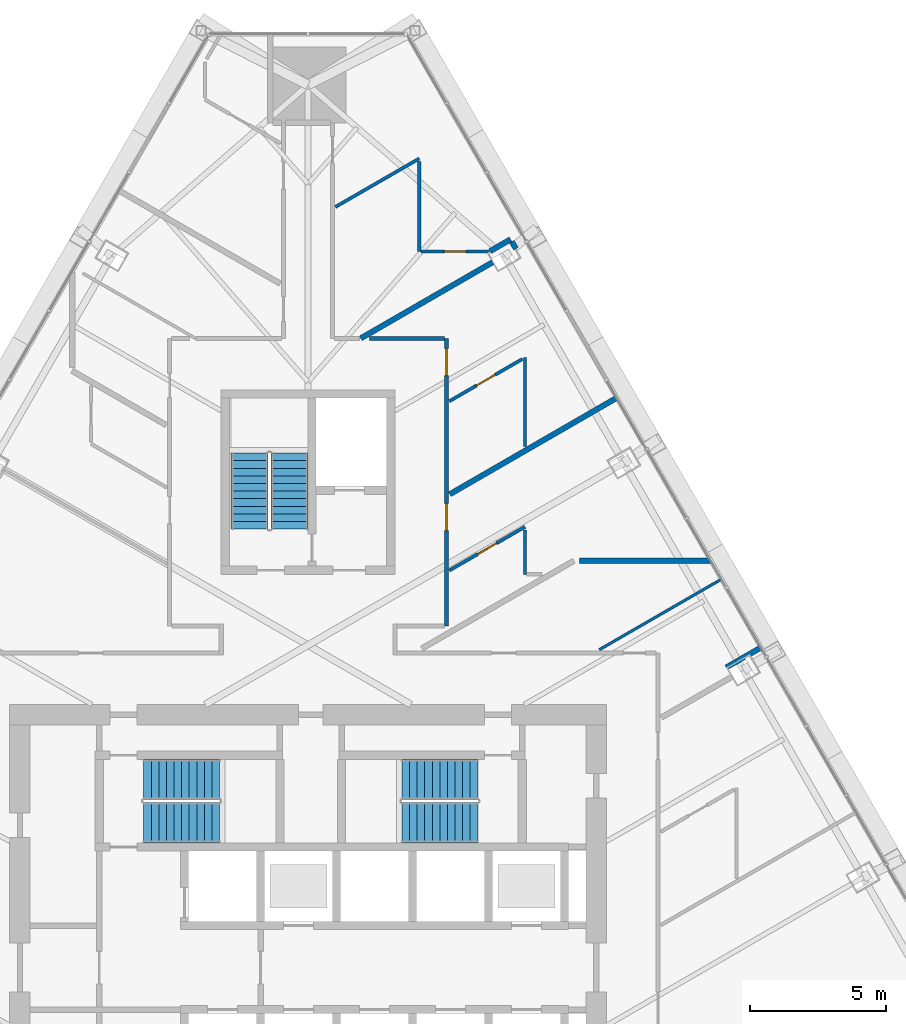
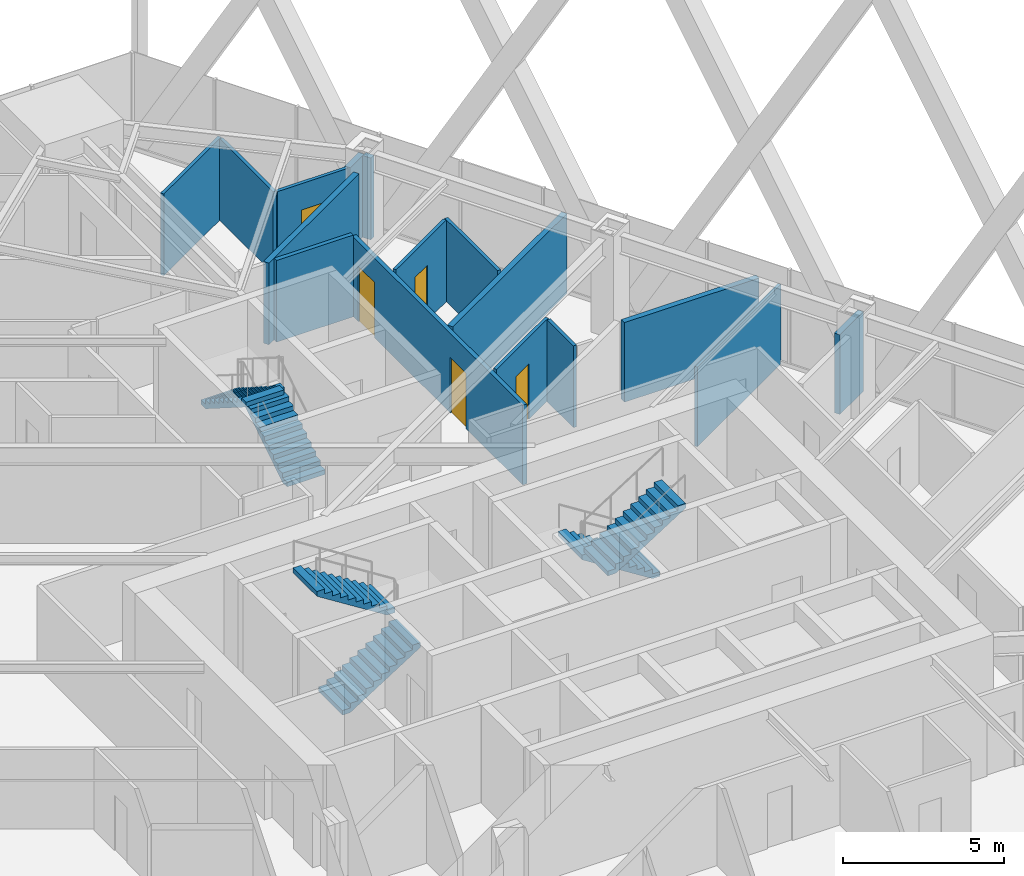
# One storey, part 17 of 19: 16 walls, 6 stair flights, 5 doors, 5 openings, 3 elements without a shape of their own.
"""IFC4 building model written with IfcOpenShell, lengths in metres."""

import ifcopenshell
import ifcopenshell.guid

model = None  # the IFC model being written
_history = None  # IfcOwnerHistory: only IFC2X3 demands one
_inside = {}  # id of a spatial element -> (the spatial element, [elements in it])
_under = {}  # id of a project, library or spatial element -> (it, [spatial elements below it])
_declared = {}  # id of a project -> (the project, [libraries it declares])
_typed = {}  # id of a type object -> (the type object, [elements of that type])
_made_of = {}  # id of a material, layer set ... -> (it, [elements and type objects made of it])


def new_model(schema):
    """Start an empty IFC model of exactly this schema.

    Asked for "IFC4X3", IfcOpenShell would pick the latest addendum, in which some entities
    have other attributes; the version numbers below select the first issue.
    IFC2X3 requires an IfcOwnerHistory on every rooted entity: one is made here for all.
    """
    global model, _history
    if schema == "IFC4X3":
        model = ifcopenshell.file(schema_version=(4, 3, 0, 0))
    else:
        model = ifcopenshell.file(schema=schema)
    _inside.clear()
    _under.clear()
    _declared.clear()
    _typed.clear()
    _made_of.clear()
    _history = None
    if model.schema == "IFC2X3":
        org = make("IfcOrganization", Name="unknown")
        user = make(
            "IfcPersonAndOrganization",
            ThePerson=make("IfcPerson", FamilyName="unknown"),
            TheOrganization=org,
        )
        app = make(
            "IfcApplication",
            ApplicationDeveloper=org,
            Version="unknown",
            ApplicationFullName="unknown",
            ApplicationIdentifier="unknown",
        )
        _history = make(
            "IfcOwnerHistory",
            OwningUser=user,
            OwningApplication=app,
            ChangeAction="ADDED",
            CreationDate=0,
        )
    return model


def make(cls, **values):
    """One entity of the class cls with the attributes given. An attribute that is None is left unset."""
    return model.create_entity(
        cls, **{name: value for name, value in values.items() if value is not None}
    )


def rooted(cls, **values):
    """An entity with a GlobalId (a new one), such as an element, a storey or a relation."""
    return make(cls, GlobalId=ifcopenshell.guid.new(), OwnerHistory=_history, **values)


def si_unit(unit_type, name, prefix=None):
    """IfcSIUnit, for example si_unit("LENGTHUNIT", "METRE", prefix="MILLI")."""
    return make("IfcSIUnit", UnitType=unit_type, Prefix=prefix, Name=name)


def assignment(units):
    """IfcUnitAssignment: the units of a project."""
    return None if units is None else make("IfcUnitAssignment", Units=units)


def point(xyz):
    """IfcCartesianPoint."""
    return None if xyz is None else make("IfcCartesianPoint", Coordinates=xyz)


def direction(xyz):
    """IfcDirection."""
    return None if xyz is None else make("IfcDirection", DirectionRatios=xyz)


def frame(location, z_axis=None, x_axis=None):
    """IfcAxis2Placement3D, a coordinate frame: its origin and axes. An axis left out is left unset."""
    return make(
        "IfcAxis2Placement3D",
        Location=point(location),
        Axis=direction(z_axis),
        RefDirection=direction(x_axis),
    )


def frame_2d(location, x_axis=None):
    """IfcAxis2Placement2D, a coordinate frame in the plane: its origin and x axis."""
    return make(
        "IfcAxis2Placement2D", Location=point(location), RefDirection=direction(x_axis)
    )


def origin():
    """The frame at (0, 0, 0) with its axes left unset."""
    return frame((0.0, 0.0, 0.0))


def place(relative_to, where):
    """IfcLocalPlacement: puts the frame where relative to a parent placement (None: the world)."""
    return make(
        "IfcLocalPlacement", PlacementRelTo=relative_to, RelativePlacement=where
    )


def context(
    kind, dimensions, precision=None, world=None, true_north=None, identifier=None
):
    """IfcGeometricRepresentationContext, for example the 3D "Model" context."""
    return make(
        "IfcGeometricRepresentationContext",
        ContextIdentifier=identifier,
        ContextType=kind,
        CoordinateSpaceDimension=dimensions,
        Precision=precision,
        WorldCoordinateSystem=world,
        TrueNorth=true_north,
    )


def subcontext(parent, identifier, kind, view, scale=None):
    """IfcGeometricRepresentationSubContext, for example "Body" below "Model"."""
    return make(
        "IfcGeometricRepresentationSubContext",
        ContextIdentifier=identifier,
        ContextType=kind,
        ParentContext=parent,
        TargetScale=scale,
        TargetView=view,
    )


def project(units=None, contexts=None):
    """IfcProject with its units and contexts."""
    return rooted(
        "IfcProject",
        Name="project",
        RepresentationContexts=contexts,
        UnitsInContext=assignment(units),
    )


def spatial(cls, under=None, at=None, **own):
    """A site, building, storey or space (cls), placed at a placement, below another one or the project."""
    s = rooted(cls, ObjectPlacement=at, **own)
    if under is not None:
        _under.setdefault(under.id(), (under, []))[1].append(s)
    return s


def polyline(points):
    """IfcPolyline through the points."""
    return make("IfcPolyline", Points=[point(p) for p in points])


def profile(cls, at=None, kind="AREA", **sizes):
    """A parametric profile (cls). Its sizes go by their IFC names, for example OverallWidth=200.0."""
    return make(cls, ProfileType=kind, Position=at, **sizes)


def rectangle(**sizes):
    """IfcRectangleProfileDef."""
    return profile("IfcRectangleProfileDef", **sizes)


def outline(outer, holes=None, kind="AREA"):
    """IfcArbitraryClosedProfileDef: a profile drawn as a closed curve; with holes, ...WithVoids."""
    if holes is None:
        return make("IfcArbitraryClosedProfileDef", ProfileType=kind, OuterCurve=outer)
    return make(
        "IfcArbitraryProfileDefWithVoids",
        ProfileType=kind,
        OuterCurve=outer,
        InnerCurves=holes,
    )


def extrude(swept, where, along, depth):
    """IfcExtrudedAreaSolid: the profile swept, set in the frame where, extruded along a direction by depth."""
    return make(
        "IfcExtrudedAreaSolid",
        SweptArea=swept,
        Position=where,
        ExtrudedDirection=direction(along),
        Depth=depth,
    )


def shape(context_of_items, identifier, shape_type, items):
    """IfcShapeRepresentation: the items that make up one representation, for example the "Body"."""
    return make(
        "IfcShapeRepresentation",
        ContextOfItems=context_of_items,
        RepresentationIdentifier=identifier,
        RepresentationType=shape_type,
        Items=items,
    )


def material(Name=None, Category=None):
    """IfcMaterial."""
    return make("IfcMaterial", Name=Name, Category=Category)


def layer(
    of_material, thickness, ventilated=None, Name=None, Category=None, Priority=None
):
    """IfcMaterialLayer: one layer of a wall or slab, of a material (None: an air gap)."""
    return make(
        "IfcMaterialLayer",
        Material=of_material,
        LayerThickness=thickness,
        IsVentilated=ventilated,
        Name=Name,
        Category=Category,
        Priority=Priority,
    )


def layer_set(layers, Name=None):
    """IfcMaterialLayerSet."""
    return make("IfcMaterialLayerSet", MaterialLayers=layers, LayerSetName=Name)


def made_of(thing, what):
    """Note that an element or type object is made of a material, layer set ...; save() writes the relation."""
    if what is not None:
        _made_of.setdefault(what.id(), (what, []))[1].append(thing)
    return thing


def type_object(cls, material=None, **own):
    """A type object (cls), such as IfcWallType, which elements share."""
    return made_of(rooted(cls, **own), material)


def element(
    cls,
    number,
    at=None,
    inside=None,
    cuts=None,
    type_object=None,
    material=None,
    context=None,
    identifier="Body",
    shape_type=None,
    held_by="IfcProductDefinitionShape",
    body=None,
    shapes=None,
    **own,
):
    """One element of the class cls, such as IfcWall. Its Tag is "e" and its number.

    at: its placement. inside: the storey or other place that contains it. cuts: it is an
    opening in that element (IfcRelVoidsElement). A single representation is given by context,
    identifier, shape_type and body (its items); several are given by shapes. held_by: the class
    of the entity that holds the representations. save() writes the other relations.
    """
    e = rooted(cls, Tag="e%d" % number, ObjectPlacement=at, **own)
    if body is not None:
        shapes = [shape(context, identifier, shape_type, body)]
    if shapes is not None:
        e.Representation = make(held_by, Representations=shapes)
    if inside is not None:
        _inside.setdefault(inside.id(), (inside, []))[1].append(e)
    if cuts is not None:
        rooted(
            "IfcRelVoidsElement", RelatingBuildingElement=cuts, RelatedOpeningElement=e
        )
    if type_object is not None:
        _typed.setdefault(type_object.id(), (type_object, []))[1].append(e)
    return made_of(e, material)


def fill(opening, filler):
    """IfcRelFillsElement: the door or window that sits in an opening."""
    return rooted(
        "IfcRelFillsElement",
        RelatingOpeningElement=opening,
        RelatedBuildingElement=filler,
    )


def aggregate(whole, parts):
    """IfcRelAggregates: a whole, such as a stair, and the parts it consists of."""
    return rooted("IfcRelAggregates", RelatingObject=whole, RelatedObjects=parts)


def save(model, path):
    """Write the relations noted so far, then the file.

    IfcRelAggregates (storeys below a building ...), IfcRelContainedInSpatialStructure (elements
    in a storey), IfcRelDefinesByType, IfcRelAssociatesMaterial and IfcRelDeclares: one each for
    every whole, place, type object, material and project.
    """
    for whole, parts in _under.values():
        aggregate(whole, parts)
    for where, things in _inside.values():
        rooted(
            "IfcRelContainedInSpatialStructure",
            RelatedElements=things,
            RelatingStructure=where,
        )
    for kind, things in _typed.values():
        rooted("IfcRelDefinesByType", RelatedObjects=things, RelatingType=kind)
    for what, things in _made_of.values():
        rooted("IfcRelAssociatesMaterial", RelatedObjects=things, RelatingMaterial=what)
    for by, libraries in _declared.values():
        rooted("IfcRelDeclares", RelatingContext=by, RelatedDefinitions=libraries)
    model.write(path)


model = new_model("IFC4")

# Units and contexts
model_context = context("Model", 3, precision=1e-05, world=origin(), true_north=direction((0.0, 1.0)))
body_context = subcontext(model_context, "Body", "Model", "MODEL_VIEW")
ifc_project = project(units=[si_unit("LENGTHUNIT", "METRE"), si_unit("AREAUNIT", "SQUARE_METRE"), si_unit("VOLUMEUNIT", "CUBIC_METRE"), si_unit("PLANEANGLEUNIT", "RADIAN"), si_unit("MASSUNIT", "GRAM", prefix="KILO")], contexts=[model_context])

# Site, building, storey
site_placement = place(None, origin())
site = spatial("IfcSite", under=ifc_project, at=site_placement, CompositionType="ELEMENT")
building_placement = place(site_placement, origin())
building = spatial("IfcBuilding", under=site, at=building_placement, Name="Firuza Gate Tower and Library", CompositionType="ELEMENT")
storey_placement = place(building_placement, frame((0.0, 0.0, 187.0)))
storey = spatial("IfcBuildingStorey", under=building, at=storey_placement, Name="L43", CompositionType="ELEMENT", Elevation=187.0)

# Wall, openings, doors
ifc_material_1 = material(Name="Gypsum board partition")
ifc_layer_1 = layer(ifc_material_1, 0.14990234375)
ifc_layer_set_1 = layer_set([ifc_layer_1], Name="Corridor wall 150 double board on steel studs")
wall_type_1 = type_object("IfcWallType", Name="Corridor wall 150 double board on steel studs", PredefinedType="PARTITIONING", material=ifc_layer_set_1)
wall_1_placement = place(storey_placement, frame((80.10009765625, 96.49951171875, 0.0), z_axis=(0.0, 0.0, 1.0), x_axis=(0.0, -1.0, 0.0)))
wall_1 = element("IfcWall", 1, at=wall_1_placement, inside=storey, type_object=wall_type_1, Name="f:L43:w054", PredefinedType="PARTITIONING", context=body_context, shape_type="SweptSolid", body=[
    extrude(rectangle(XDim=10.599609375, YDim=0.14990234375, at=frame_2d((5.2998046875, 0.0))), origin(), (0.0, 0.0, 1.0), 3.02197265625),
])
opening_1_placement = place(wall_1_placement, frame((0.37744140625, 0.0, 0.0)))
opening_1 = element("IfcOpeningElement", 2, at=opening_1_placement, cuts=wall_1, Name="Opening L43-27", PredefinedType="OPENING", context=body_context, shape_type="SweptSolid", body=[
    extrude(rectangle(XDim=1.0, YDim=2.10009765625, at=frame_2d((0.5, 1.050048828125))), frame((0.0, 0.0849609375, 0.0), z_axis=(0.0, -1.0, 0.0), x_axis=(1.0, 0.0, 0.0)), (0.0, 0.0, 1.0), 0.169921875),
])
opening_2_placement = place(wall_1_placement, frame((6.086669921875, 0.0, 0.0)))
opening_2 = element("IfcOpeningElement", 3, at=opening_2_placement, cuts=wall_1, Name="Opening L43-28", PredefinedType="OPENING", context=body_context, shape_type="SweptSolid", body=[
    extrude(rectangle(XDim=1.0, YDim=2.10009765625, at=frame_2d((0.5, 1.050048828125))), frame((0.0, 0.0849609375, 0.0), z_axis=(0.0, -1.0, 0.0), x_axis=(1.0, 0.0, 0.0)), (0.0, 0.0, 1.0), 0.169921875),
])
ifc_material_2 = material(Name="Steel door and timber leaf", Category="steel")
door_type_1 = type_object("IfcDoorType", Name="Fire door 1000 x 2100 steel frame, timber leaf", OperationType="NOTDEFINED", PredefinedType="DOOR", material=ifc_material_2)
door_1_placement = place(opening_1_placement, origin())
door_1 = element("IfcDoor", 4, at=door_1_placement, inside=storey, type_object=door_type_1, Name="f:L43:d027", OperationType="SINGLE_SWING_LEFT", OverallHeight=2.10009765625, OverallWidth=1.0, PredefinedType="DOOR", context=body_context, shape_type="SweptSolid", body=[
    extrude(rectangle(XDim=1.0, YDim=2.10009765625, at=frame_2d((0.5, 1.050048828125))), frame((0.0, 0.02490234375, 0.0), z_axis=(0.0, -1.0, 0.0), x_axis=(1.0, 0.0, 0.0)), (0.0, 0.0, 1.0), 0.050048828125),
])
fill(opening_1, door_1)
door_2_placement = place(opening_2_placement, origin())
door_2 = element("IfcDoor", 5, at=door_2_placement, inside=storey, type_object=door_type_1, Name="f:L43:d028", OperationType="SINGLE_SWING_LEFT", OverallHeight=2.10009765625, OverallWidth=1.0, PredefinedType="DOOR", context=body_context, shape_type="SweptSolid", body=[
    extrude(rectangle(XDim=1.0, YDim=2.10009765625, at=frame_2d((0.5, 1.050048828125))), frame((0.0, 0.02490234375, 0.0), z_axis=(0.0, -1.0, 0.0), x_axis=(1.0, 0.0, 0.0)), (0.0, 0.0, 1.0), 0.050048828125),
])
fill(opening_2, door_2)

# Walls
wall_2_placement = place(storey_placement, frame((77.272705078125, 96.5, 0.0), z_axis=(0.0, 0.0, 1.0), x_axis=(1.0, 0.0, 0.0)))
element("IfcWall", 6, at=wall_2_placement, inside=storey, type_object=wall_type_1, Name="f:L43:w101", PredefinedType="PARTITIONING", context=body_context, shape_type="SweptSolid", body=[
    extrude(rectangle(XDim=2.751708984375, YDim=0.14990234375, at=frame_2d((1.3759765625, 0.0))), origin(), (0.0, 0.0, 1.0), 3.10009765625),
])
ifc_material_3 = material(Name="Gypsum board partition")
ifc_layer_2 = layer(ifc_material_3, 0.199951171875)
ifc_layer_set_2 = layer_set([ifc_layer_2], Name="Demising wall 200 acoustic double stud")
wall_type_2 = type_object("IfcWallType", Name="Demising wall 200 acoustic double stud", PredefinedType="PARTITIONING", material=ifc_layer_set_2)
wall_3_placement = place(storey_placement, frame((85.00244140625, 88.300048828125, 0.0), z_axis=(0.0, 0.0, 1.0), x_axis=(1.0, 0.0, 0.0)))
element("IfcWall", 7, at=wall_3_placement, inside=storey, type_object=wall_type_2, Name="f:L43:w015", PredefinedType="PARTITIONING", context=body_context, shape_type="SweptSolid", body=[
    extrude(rectangle(XDim=4.835693359375, YDim=0.199951171875, at=frame_2d((2.41796875, 0.0))), origin(), (0.0, 0.0, 1.0), 3.02197265625),
])
wall_4_placement = place(storey_placement, frame((90.42333984375, 84.36669921875, 0.0), z_axis=(0.0, 0.0, 1.0), x_axis=(0.866032430508, 0.49998782916, 0.0)))
element("IfcWall", 8, at=wall_4_placement, inside=storey, type_object=wall_type_2, Name="f:L43:w027", PredefinedType="PARTITIONING", context=body_context, shape_type="SweptSolid", body=[
    extrude(rectangle(XDim=1.4599609375, YDim=0.199951171875, at=frame_2d((0.72998046875, 0.0))), origin(), (0.0, 0.0, 1.0), 3.02197265625),
])
wall_5_placement = place(storey_placement, frame((80.226806640625, 90.754150390625, 0.0), z_axis=(0.0, 0.0, 1.0), x_axis=(0.866028616566, 0.499994435258, 0.0)))
element("IfcWall", 9, at=wall_5_placement, inside=storey, type_object=wall_type_2, Name="f:L43:w034", PredefinedType="PARTITIONING", context=body_context, shape_type="SweptSolid", body=[
    extrude(rectangle(XDim=7.0966796875, YDim=0.199951171875, at=frame_2d((3.54833984375, 0.0))), origin(), (0.0, 0.0, 1.0), 3.02197265625),
])
wall_6_placement = place(storey_placement, frame((76.943359375, 96.500244140625, 0.0), z_axis=(0.0, 0.0, 1.0), x_axis=(0.866015917575, 0.500016430238, 0.0)))
element("IfcWall", 10, at=wall_6_placement, inside=storey, type_object=wall_type_2, Name="f:L43:w036", PredefinedType="PARTITIONING", context=body_context, shape_type="SweptSolid", body=[
    extrude(rectangle(XDim=5.607177734375, YDim=0.199951171875, at=frame_2d((2.8037109375, 0.0))), origin(), (0.0, 0.0, 1.0), 3.10009765625),
])
wall_7_placement = place(storey_placement, frame((81.7119140625, 99.71533203125, 0.0), z_axis=(0.0, 0.0, 1.0), x_axis=(0.866092063448, 0.499884524299, 0.0)))
element("IfcWall", 11, at=wall_7_placement, inside=storey, type_object=wall_type_2, Name="f:L43:w037", PredefinedType="PARTITIONING", context=body_context, shape_type="SweptSolid", body=[
    extrude(rectangle(XDim=0.869384765625, YDim=0.199951171875, at=frame_2d((0.4345703125, 0.0))), origin(), (0.0, 0.0, 1.0), 3.10009765625),
])
wall_8_placement = place(storey_placement, frame((82.665283203125, 99.803466796875, 0.0), z_axis=(0.0, 0.0, 1.0), x_axis=(-0.499910707084, 0.866076950936, 0.0)))
element("IfcWall", 12, at=wall_8_placement, inside=storey, type_object=wall_type_2, Name="f:L43:w081", PredefinedType="PARTITIONING", context=body_context, shape_type="SweptSolid", body=[
    extrude(rectangle(XDim=0.29931640625, YDim=0.199951171875, at=frame_2d((0.149658203125, 0.0))), origin(), (0.0, 0.0, 1.0), 3.10009765625),
])
ifc_material_4 = material(Name="Gypsum board partition")
ifc_layer_3 = layer(ifc_material_4, 0.10009765625)
ifc_layer_set_3 = layer_set([ifc_layer_3], Name="Partition 100 gypsum board on steel studs")
wall_type_3 = type_object("IfcWallType", Name="Partition 100 gypsum board on steel studs", PredefinedType="PARTITIONING", material=ifc_layer_set_3)
wall_9_placement = place(storey_placement, frame((85.737060546875, 85.02001953125, 0.0), z_axis=(0.0, 0.0, 1.0), x_axis=(0.866014867177, 0.500018249495, 0.0)))
element("IfcWall", 13, at=wall_9_placement, inside=storey, type_object=wall_type_3, Name="f:L43:w029", PredefinedType="PARTITIONING", context=body_context, shape_type="SweptSolid", body=[
    extrude(rectangle(XDim=5.191650390625, YDim=0.10009765625, at=frame_2d((2.595703125, 0.0))), origin(), (0.0, 0.0, 1.0), 3.02197265625),
])

# Wall, opening, door
ifc_material_5 = material(Name="Gypsum board partition")
ifc_layer_4 = layer(ifc_material_5, 0.1201171875)
ifc_layer_set_4 = layer_set([ifc_layer_4], Name="Wet-area partition 120 moisture-resistant board")
wall_type_4 = type_object("IfcWallType", Name="Wet-area partition 120 moisture-resistant board", PredefinedType="PARTITIONING", material=ifc_layer_set_4)
wall_10_placement = place(storey_placement, frame((81.686279296875, 99.699951171875, 0.0), z_axis=(0.0, 0.0, 1.0), x_axis=(-1.0, 0.0, 0.0)))
wall_10 = element("IfcWall", 14, at=wall_10_placement, inside=storey, type_object=wall_type_4, Name="f:L43:w018", PredefinedType="PARTITIONING", context=body_context, shape_type="SweptSolid", body=[
    extrude(rectangle(XDim=2.5263671875, YDim=0.1201171875, at=frame_2d((1.26318359375, 0.0))), origin(), (0.0, 0.0, 1.0), 3.10009765625),
])
opening_3_placement = place(wall_10_placement, frame((0.863037109375, 0.0, 0.0)))
opening_3 = element("IfcOpeningElement", 15, at=opening_3_placement, cuts=wall_10, Name="Opening L43-12", PredefinedType="OPENING", context=body_context, shape_type="SweptSolid", body=[
    extrude(rectangle(XDim=0.800048828125, YDim=2.10009765625, at=frame_2d((0.39990234375, 1.050048828125))), frame((0.0, 0.070068359375, 0.0), z_axis=(0.0, -1.0, 0.0), x_axis=(1.0, 0.0, 0.0)), (0.0, 0.0, 1.0), 0.14013671875),
])
ifc_material_6 = material(Name="Timber door", Category="wood")
door_type_2 = type_object("IfcDoorType", Name="Door 800 x 2100 timber leaf", OperationType="NOTDEFINED", PredefinedType="DOOR", material=ifc_material_6)
door_3_placement = place(opening_3_placement, origin())
door_3 = element("IfcDoor", 16, at=door_3_placement, inside=storey, type_object=door_type_2, Name="f:L43:d012", OperationType="SINGLE_SWING_RIGHT", OverallHeight=2.10009765625, OverallWidth=0.800048828125, PredefinedType="DOOR", context=body_context, shape_type="SweptSolid", body=[
    extrude(rectangle(XDim=0.800048828125, YDim=2.10009765625, at=frame_2d((0.39990234375, 1.050048828125))), frame((0.0, 0.02490234375, 0.0), z_axis=(0.0, -1.0, 0.0), x_axis=(1.0, 0.0, 0.0)), (0.0, 0.0, 1.0), 0.050048828125),
])
fill(opening_3, door_3)

wall_11_placement = place(storey_placement, frame((83.0, 89.552734375, 0.0), z_axis=(0.0, 0.0, 1.0), x_axis=(-0.86604299788, -0.499969524894, 0.0)))
wall_11 = element("IfcWall", 17, at=wall_11_placement, inside=storey, type_object=wall_type_4, Name="f:L43:w033", PredefinedType="PARTITIONING", context=body_context, shape_type="SweptSolid", body=[
    extrude(rectangle(XDim=3.221923828125, YDim=0.1201171875, at=frame_2d((1.61083984375, 0.0))), origin(), (0.0, 0.0, 1.0), 3.10009765625),
])
opening_4_placement = place(wall_11_placement, frame((1.2109375, 0.0, 0.0)))
opening_4 = element("IfcOpeningElement", 18, at=opening_4_placement, cuts=wall_11, Name="Opening L43-22", PredefinedType="OPENING", context=body_context, shape_type="SweptSolid", body=[
    extrude(rectangle(XDim=0.800048828125, YDim=2.10009765625, at=frame_2d((0.39990234375, 1.050048828125))), frame((0.0, 0.070068359375, 0.0), z_axis=(0.0, -1.0, 0.0), x_axis=(1.0, 0.0, 0.0)), (0.0, 0.0, 1.0), 0.14013671875),
])
door_4_placement = place(opening_4_placement, origin())
door_4 = element("IfcDoor", 19, at=door_4_placement, inside=storey, type_object=door_type_2, Name="f:L43:d022", OperationType="SINGLE_SWING_RIGHT", OverallHeight=2.10009765625, OverallWidth=0.800048828125, PredefinedType="DOOR", context=body_context, shape_type="SweptSolid", body=[
    extrude(rectangle(XDim=0.800048828125, YDim=2.10009765625, at=frame_2d((0.39990234375, 1.050048828125))), frame((0.0, 0.02490234375, 0.0), z_axis=(0.0, -1.0, 0.0), x_axis=(1.0, 0.0, 0.0)), (0.0, 0.0, 1.0), 0.050048828125),
])
fill(opening_4, door_4)

wall_12_placement = place(storey_placement, frame((82.9052734375, 95.7392578125, 0.0), z_axis=(0.0, 0.0, 1.0), x_axis=(-0.866028856698, -0.499994019331, 0.0)))
wall_12 = element("IfcWall", 20, at=wall_12_placement, inside=storey, type_object=wall_type_4, Name="f:L43:w035", PredefinedType="PARTITIONING", context=body_context, shape_type="SweptSolid", body=[
    extrude(rectangle(XDim=3.11279296875, YDim=0.1201171875, at=frame_2d((1.556396484375, 0.0))), origin(), (0.0, 0.0, 1.0), 3.10009765625),
])
opening_5_placement = place(wall_12_placement, frame((1.156494140625, 0.0, 0.0)))
opening_5 = element("IfcOpeningElement", 21, at=opening_5_placement, cuts=wall_12, Name="Opening L43-23", PredefinedType="OPENING", context=body_context, shape_type="SweptSolid", body=[
    extrude(rectangle(XDim=0.800048828125, YDim=2.10009765625, at=frame_2d((0.39990234375, 1.050048828125))), frame((0.0, 0.070068359375, 0.0), z_axis=(0.0, -1.0, 0.0), x_axis=(1.0, 0.0, 0.0)), (0.0, 0.0, 1.0), 0.14013671875),
])
door_5_placement = place(opening_5_placement, origin())
door_5 = element("IfcDoor", 22, at=door_5_placement, inside=storey, type_object=door_type_2, Name="f:L43:d023", OperationType="SINGLE_SWING_RIGHT", OverallHeight=2.10009765625, OverallWidth=0.800048828125, PredefinedType="DOOR", context=body_context, shape_type="SweptSolid", body=[
    extrude(rectangle(XDim=0.800048828125, YDim=2.10009765625, at=frame_2d((0.39990234375, 1.050048828125))), frame((0.0, 0.02490234375, 0.0), z_axis=(0.0, -1.0, 0.0), x_axis=(1.0, 0.0, 0.0)), (0.0, 0.0, 1.0), 0.050048828125),
])
fill(opening_5, door_5)

# Walls
wall_13_placement = place(storey_placement, frame((76.009765625, 101.345703125, 0.0), z_axis=(0.0, 0.0, 1.0), x_axis=(0.866045460162, 0.499965259726, 0.0)))
element("IfcWall", 23, at=wall_13_placement, inside=storey, type_object=wall_type_4, Name="f:L43:w038", PredefinedType="PARTITIONING", context=body_context, shape_type="SweptSolid", body=[
    extrude(rectangle(XDim=3.568603515625, YDim=0.1201171875, at=frame_2d((1.7841796875, 0.0))), origin(), (0.0, 0.0, 1.0), 3.10009765625),
])
wall_14_placement = place(storey_placement, frame((83.0, 87.800048828125, 0.0), z_axis=(0.0, 0.0, 1.0), x_axis=(0.0, 1.0, 0.0)))
element("IfcWall", 24, at=wall_14_placement, inside=storey, type_object=wall_type_4, Name="f:L43:w051", PredefinedType="PARTITIONING", context=body_context, shape_type="SweptSolid", body=[
    extrude(rectangle(XDim=1.6435546875, YDim=0.1201171875, at=frame_2d((0.82177734375, 0.0))), origin(), (0.0, 0.0, 1.0), 3.10009765625),
])
wall_15_placement = place(storey_placement, frame((83.0, 92.510498046875, 0.0), z_axis=(0.0, 0.0, 1.0), x_axis=(0.0, 1.0, 0.0)))
element("IfcWall", 25, at=wall_15_placement, inside=storey, type_object=wall_type_4, Name="f:L43:w052", PredefinedType="PARTITIONING", context=body_context, shape_type="SweptSolid", body=[
    extrude(rectangle(XDim=3.283203125, YDim=0.1201171875, at=frame_2d((1.6416015625, 0.0))), origin(), (0.0, 0.0, 1.0), 3.10009765625),
])
wall_16_placement = place(storey_placement, frame((79.10009765625, 99.699951171875, 0.0), z_axis=(0.0, 0.0, 1.0), x_axis=(0.0, 1.0, 0.0)))
element("IfcWall", 26, at=wall_16_placement, inside=storey, type_object=wall_type_4, Name="f:L43:w056", PredefinedType="PARTITIONING", context=body_context, shape_type="SweptSolid", body=[
    extrude(rectangle(XDim=3.321044921875, YDim=0.1201171875, at=frame_2d((1.66064453125, 0.0))), origin(), (0.0, 0.0, 1.0), 3.10009765625),
])

# Stair, stair flights
ifc_material_7 = material(Name="Concrete C35/45", Category="concrete")
stair_type_1 = type_object("IfcStairType", Name="Exit stair ST16", PredefinedType="HALF_TURN_STAIR", material=ifc_material_7)
placement = place(storey_placement, origin())
stair_1 = element("IfcStair", 27, at=placement, inside=storey, type_object=stair_type_1, Name="L43 Stair ST3", PredefinedType="HALF_TURN_STAIR")
ifc_material_8 = material(Name="Concrete C35/45", Category="concrete")
stair_flight_type_1 = type_object("IfcStairFlightType", Name="Stair flight 11 risers 177.3 width 1370", PredefinedType="STRAIGHT", material=ifc_material_8)
stair_flight_1_placement = place(storey_placement, frame((74.31494140625, 89.469970703125, 0.0), z_axis=(0.0, 0.0, 1.0), x_axis=(0.0, 1.0, 0.0)))
stair_flight_1 = element("IfcStairFlight", 28, at=stair_flight_1_placement, type_object=stair_flight_type_1, Name="ST3 flight 1", NumberOfRisers=11, NumberOfTreads=10, PredefinedType="STRAIGHT", RiserHeight=0.177272727, TreadLength=0.28, context=body_context, shape_type="SweptSolid", body=[
    extrude(outline(polyline([(0.0, 0.0), (0.0, 0.17724609375), (0.280029296875, 0.17724609375), (0.280029296875, 0.3544921875), (0.56005859375, 0.3544921875), (0.56005859375, 0.53173828125), (0.840087890625, 0.53173828125), (0.840087890625, 0.708984375), (1.1201171875, 0.708984375), (1.1201171875, 0.886474609375), (1.39990234375, 0.886474609375), (1.39990234375, 1.063720703125), (1.679931640625, 1.063720703125), (1.679931640625, 1.240966796875), (1.9599609375, 1.240966796875), (1.9599609375, 1.418212890625), (2.239990234375, 1.418212890625), (2.239990234375, 1.595458984375), (2.52001953125, 1.595458984375), (2.52001953125, 1.772705078125), (2.800048828125, 1.772705078125), (2.800048828125, 1.949951171875), (2.800048828125, 1.59521484375), (0.2802734375, 0.0), (0.0, 0.0)])), frame((0.0, 0.68505859375, 0.0), z_axis=(0.0, -1.0, 0.0), x_axis=(1.0, 0.0, 0.0)), (0.0, 0.0, 1.0), 1.3701171875),
])
stair_flight_2_placement = place(storey_placement, frame((72.844970703125, 92.27001953125, 1.949951171875), z_axis=(0.0, 0.0, 1.0), x_axis=(0.0, -1.0, 0.0)))
stair_flight_2 = element("IfcStairFlight", 29, at=stair_flight_2_placement, type_object=stair_flight_type_1, Name="ST3 flight 2", NumberOfRisers=11, NumberOfTreads=10, PredefinedType="STRAIGHT", RiserHeight=0.177272727, TreadLength=0.28, context=body_context, shape_type="SweptSolid", body=[
    extrude(outline(polyline([(0.0, 0.0), (0.0, 0.17724609375), (0.280029296875, 0.17724609375), (0.280029296875, 0.3544921875), (0.56005859375, 0.3544921875), (0.56005859375, 0.53173828125), (0.840087890625, 0.53173828125), (0.840087890625, 0.708984375), (1.1201171875, 0.708984375), (1.1201171875, 0.886474609375), (1.39990234375, 0.886474609375), (1.39990234375, 1.063720703125), (1.679931640625, 1.063720703125), (1.679931640625, 1.240966796875), (1.9599609375, 1.240966796875), (1.9599609375, 1.418212890625), (2.239990234375, 1.418212890625), (2.239990234375, 1.595458984375), (2.52001953125, 1.595458984375), (2.52001953125, 1.772705078125), (2.800048828125, 1.772705078125), (2.800048828125, 1.949951171875), (2.800048828125, 1.59521484375), (0.2802734375, 0.0), (0.0, 0.0)])), frame((0.0, 0.68505859375, 0.0), z_axis=(0.0, -1.0, 0.0), x_axis=(1.0, 0.0, 0.0)), (0.0, 0.0, 1.0), 1.3701171875),
])
aggregate(stair_1, [stair_flight_1, stair_flight_2])

ifc_material_9 = material(Name="Concrete C35/45", Category="concrete")
stair_type_2 = type_object("IfcStairType", Name="Exit stair ST7", PredefinedType="HALF_TURN_STAIR", material=ifc_material_9)
stair_2 = element("IfcStair", 30, at=placement, inside=storey, type_object=stair_type_2, Name="L43 Stair ST1", PredefinedType="HALF_TURN_STAIR")
ifc_material_10 = material(Name="Concrete C35/45", Category="concrete")
stair_flight_type_2 = type_object("IfcStairFlightType", Name="Stair flight 11 risers 177.3 width 1490", PredefinedType="STRAIGHT", material=ifc_material_10)
stair_flight_3_placement = place(storey_placement, frame((68.93994140625, 78.64501953125, 0.0), z_axis=(0.0, 0.0, 1.0), x_axis=(1.0, 0.0, 0.0)))
stair_flight_3 = element("IfcStairFlight", 31, at=stair_flight_3_placement, type_object=stair_flight_type_2, Name="ST1 flight 1", NumberOfRisers=11, NumberOfTreads=10, PredefinedType="STRAIGHT", RiserHeight=0.177272727, TreadLength=0.28, context=body_context, shape_type="SweptSolid", body=[
    extrude(outline(polyline([(0.0, 0.0), (0.0, 0.17724609375), (0.280029296875, 0.17724609375), (0.280029296875, 0.3544921875), (0.56005859375, 0.3544921875), (0.56005859375, 0.53173828125), (0.840087890625, 0.53173828125), (0.840087890625, 0.708984375), (1.1201171875, 0.708984375), (1.1201171875, 0.886474609375), (1.39990234375, 0.886474609375), (1.39990234375, 1.063720703125), (1.679931640625, 1.063720703125), (1.679931640625, 1.240966796875), (1.9599609375, 1.240966796875), (1.9599609375, 1.418212890625), (2.239990234375, 1.418212890625), (2.239990234375, 1.595458984375), (2.52001953125, 1.595458984375), (2.52001953125, 1.772705078125), (2.800048828125, 1.772705078125), (2.800048828125, 1.949951171875), (2.800048828125, 1.59521484375), (0.2802734375, 0.0), (0.0, 0.0)])), frame((0.0, 0.7451171875, 0.0), z_axis=(0.0, -1.0, 0.0), x_axis=(1.0, 0.0, 0.0)), (0.0, 0.0, 1.0), 1.489990234375),
])
stair_flight_4_placement = place(storey_placement, frame((71.739990234375, 80.235107421875, 1.949951171875), z_axis=(0.0, 0.0, 1.0), x_axis=(-1.0, 0.0, 0.0)))
stair_flight_4 = element("IfcStairFlight", 32, at=stair_flight_4_placement, type_object=stair_flight_type_2, Name="ST1 flight 2", NumberOfRisers=11, NumberOfTreads=10, PredefinedType="STRAIGHT", RiserHeight=0.177272727, TreadLength=0.28, context=body_context, shape_type="SweptSolid", body=[
    extrude(outline(polyline([(0.0, 0.0), (0.0, 0.17724609375), (0.280029296875, 0.17724609375), (0.280029296875, 0.3544921875), (0.56005859375, 0.3544921875), (0.56005859375, 0.53173828125), (0.840087890625, 0.53173828125), (0.840087890625, 0.708984375), (1.1201171875, 0.708984375), (1.1201171875, 0.886474609375), (1.39990234375, 0.886474609375), (1.39990234375, 1.063720703125), (1.679931640625, 1.063720703125), (1.679931640625, 1.240966796875), (1.9599609375, 1.240966796875), (1.9599609375, 1.418212890625), (2.239990234375, 1.418212890625), (2.239990234375, 1.595458984375), (2.52001953125, 1.595458984375), (2.52001953125, 1.772705078125), (2.800048828125, 1.772705078125), (2.800048828125, 1.949951171875), (2.800048828125, 1.59521484375), (0.2802734375, 0.0), (0.0, 0.0)])), frame((0.0, 0.7451171875, 0.0), z_axis=(0.0, -1.0, 0.0), x_axis=(1.0, 0.0, 0.0)), (0.0, 0.0, 1.0), 1.489990234375),
])
aggregate(stair_2, [stair_flight_3, stair_flight_4])

stair_3 = element("IfcStair", 33, at=placement, inside=storey, type_object=stair_type_2, Name="L43 Stair ST2", PredefinedType="HALF_TURN_STAIR")
stair_flight_5_placement = place(storey_placement, frame((81.260009765625, 80.235107421875, 0.0), z_axis=(0.0, 0.0, 1.0), x_axis=(-1.0, 0.0, 0.0)))
stair_flight_5 = element("IfcStairFlight", 34, at=stair_flight_5_placement, type_object=stair_flight_type_2, Name="ST2 flight 1", NumberOfRisers=11, NumberOfTreads=10, PredefinedType="STRAIGHT", RiserHeight=0.177272727, TreadLength=0.28, context=body_context, shape_type="SweptSolid", body=[
    extrude(outline(polyline([(0.0, 0.0), (0.0, 0.17724609375), (0.280029296875, 0.17724609375), (0.280029296875, 0.3544921875), (0.56005859375, 0.3544921875), (0.56005859375, 0.53173828125), (0.840087890625, 0.53173828125), (0.840087890625, 0.708984375), (1.1201171875, 0.708984375), (1.1201171875, 0.886474609375), (1.39990234375, 0.886474609375), (1.39990234375, 1.063720703125), (1.679931640625, 1.063720703125), (1.679931640625, 1.240966796875), (1.9599609375, 1.240966796875), (1.9599609375, 1.418212890625), (2.239990234375, 1.418212890625), (2.239990234375, 1.595458984375), (2.52001953125, 1.595458984375), (2.52001953125, 1.772705078125), (2.800048828125, 1.772705078125), (2.800048828125, 1.949951171875), (2.800048828125, 1.59521484375), (0.2802734375, 0.0), (0.0, 0.0)])), frame((0.0, 0.7451171875, 0.0), z_axis=(0.0, -1.0, 0.0), x_axis=(1.0, 0.0, 0.0)), (0.0, 0.0, 1.0), 1.489990234375),
])
stair_flight_6_placement = place(storey_placement, frame((78.4599609375, 78.64501953125, 1.949951171875), z_axis=(0.0, 0.0, 1.0), x_axis=(1.0, 0.0, 0.0)))
stair_flight_6 = element("IfcStairFlight", 35, at=stair_flight_6_placement, type_object=stair_flight_type_2, Name="ST2 flight 2", NumberOfRisers=11, NumberOfTreads=10, PredefinedType="STRAIGHT", RiserHeight=0.177272727, TreadLength=0.28, context=body_context, shape_type="SweptSolid", body=[
    extrude(outline(polyline([(0.0, 0.0), (0.0, 0.17724609375), (0.280029296875, 0.17724609375), (0.280029296875, 0.3544921875), (0.56005859375, 0.3544921875), (0.56005859375, 0.53173828125), (0.840087890625, 0.53173828125), (0.840087890625, 0.708984375), (1.1201171875, 0.708984375), (1.1201171875, 0.886474609375), (1.39990234375, 0.886474609375), (1.39990234375, 1.063720703125), (1.679931640625, 1.063720703125), (1.679931640625, 1.240966796875), (1.9599609375, 1.240966796875), (1.9599609375, 1.418212890625), (2.239990234375, 1.418212890625), (2.239990234375, 1.595458984375), (2.52001953125, 1.595458984375), (2.52001953125, 1.772705078125), (2.800048828125, 1.772705078125), (2.800048828125, 1.949951171875), (2.800048828125, 1.59521484375), (0.2802734375, 0.0), (0.0, 0.0)])), frame((0.0, 0.7451171875, 0.0), z_axis=(0.0, -1.0, 0.0), x_axis=(1.0, 0.0, 0.0)), (0.0, 0.0, 1.0), 1.489990234375),
])
aggregate(stair_3, [stair_flight_5, stair_flight_6])

save(model, "model.ifc")
